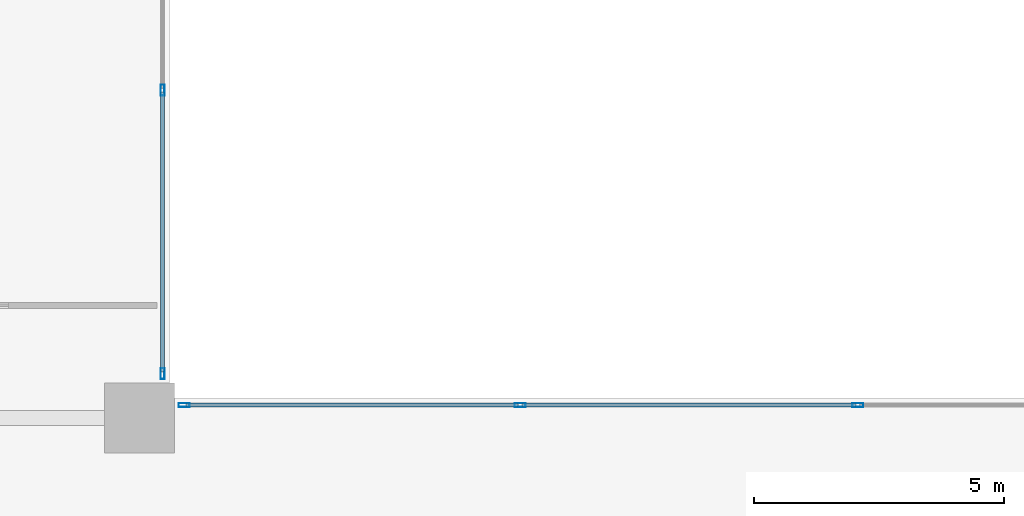
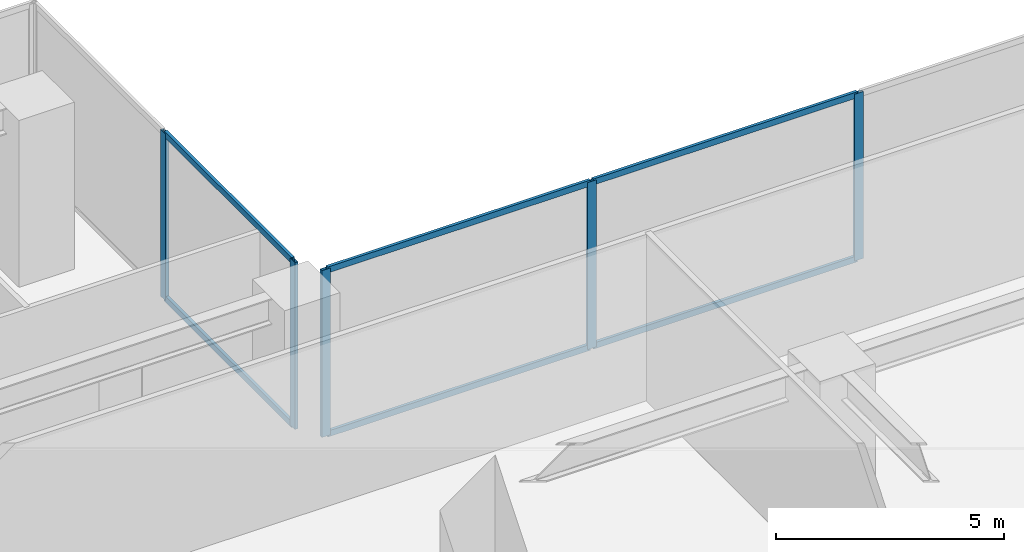
# One storey, part 5 of 16: 11 members, 2 elements without a shape of their own.
"""IFC4 building model written with IfcOpenShell, lengths in metres."""

from ifc_helpers import new_model, si_unit, direction, frame, origin, origin_with_axes, origin_2d, place, context, subcontext, project, spatial, hollow_rectangle, extrude, source, transform, mapped, material, layer, layer_set, material_profile, profile_set, type_object, element, aggregate, save


model = new_model("IFC4")

# Units and contexts
model_context = context("Model", 3, precision=1e-05, world=origin(), true_north=direction((0.0, 1.0)))
body_context = subcontext(model_context, "Body", "Model", "MODEL_VIEW")
ifc_project = project(units=[si_unit("LENGTHUNIT", "METRE"), si_unit("AREAUNIT", "SQUARE_METRE"), si_unit("VOLUMEUNIT", "CUBIC_METRE"), si_unit("PLANEANGLEUNIT", "RADIAN"), si_unit("MASSUNIT", "GRAM", prefix="KILO")], contexts=[model_context])

# Site, building, storey
site_placement = place(None, origin())
site = spatial("IfcSite", under=ifc_project, at=site_placement, CompositionType="ELEMENT")
building_placement = place(site_placement, origin())
building = spatial("IfcBuilding", under=site, at=building_placement, Name="Kolvaren Waterfront Exchange", CompositionType="ELEMENT")
storey_placement = place(building_placement, frame((0.0, 0.0, 10.39990234375)))
storey = spatial("IfcBuildingStorey", under=building, at=storey_placement, Name="L03", CompositionType="ELEMENT", Elevation=10.39990234375)

# Curtain wall, members
ifc_material_1 = material(Name="Anodised bronze aluminium 6063-T6", Category="aluminium")
ifc_layer = layer(ifc_material_1, 0.219970703125, Name="Anodised bronze aluminium 6063-T6")
ifc_layer_set = layer_set([ifc_layer], Name="Anodised bronze aluminium 6063-T6")
curtain_wall_type = type_object("IfcCurtainWallType", Name="ARC-CW-SYS4", PredefinedType="USERDEFINED", material=ifc_layer_set)
curtain_wall_1_placement = place(storey_placement, origin())
curtain_wall_1 = element("IfcCurtainWall", 1, at=curtain_wall_1_placement, inside=storey, type_object=curtain_wall_type, Name="L03 stick curtain wall CW4 (CW-L03-E2)", ObjectType="STICK CURTAIN WALL", PredefinedType="USERDEFINED")
ifc_material_2 = material(Name="Anodised aluminium 6063-T6", Category="aluminium")
ifc_material_profile_1 = material_profile(ifc_material_2, hollow_rectangle(XDim=0.074951171875, YDim=0.159912109375, WallThickness=0.00439453125, at=origin_2d()), Name="ALU-TRN-160x75x4.5")
ifc_profile_set_1 = profile_set([ifc_material_profile_1], Name="Anodised aluminium 6063-T6")
member_type_1 = type_object("IfcMemberType", Name="ARC-CWT-160", PredefinedType="USERDEFINED", material=ifc_profile_set_1)
shared_shape_1 = source(origin_with_axes(), body_context, "Body", "SweptSolid", [
    extrude(hollow_rectangle(XDim=0.074951171875, YDim=0.159912109375, WallThickness=0.00439453125, at=origin_2d()), origin(), (0.0, 0.0, 1.0), 6.632568359375),
])
member_1_placement = place(storey_placement, frame((44.362548828125, 39.06005859375, 0.03759765625), z_axis=(-1.0, 0.0, 0.0), x_axis=(0.0, -1.0, 0.0)))
member_1 = element("IfcMember", 2, at=member_1_placement, type_object=member_type_1, Name="CW4 transom 4.1", ObjectType="TRANSOM", PredefinedType="USERDEFINED", context=body_context, shape_type="MappedRepresentation", body=[
    mapped(shared_shape_1, transform((0.0, 0.0, 0.0), x_axis=(1.0, 0.0, 0.0), y_axis=(0.0, 1.0, 0.0), z_axis=(0.0, 0.0, 1.0), scale=1.0)),
])
member_2_placement = place(storey_placement, frame((44.362548828125, 39.06005859375, 4.422607421875), z_axis=(-1.0, 0.0, 0.0), x_axis=(0.0, -1.0, 0.0)))
member_2 = element("IfcMember", 3, at=member_2_placement, type_object=member_type_1, Name="CW4 transom 4.2", ObjectType="TRANSOM", PredefinedType="USERDEFINED", context=body_context, shape_type="MappedRepresentation", body=[
    mapped(shared_shape_1, transform((0.0, 0.0, 0.0), x_axis=(1.0, 0.0, 0.0), y_axis=(0.0, 1.0, 0.0), z_axis=(0.0, 0.0, 1.0), scale=1.0)),
])
shared_shape_2 = source(origin_with_axes(), body_context, "Body", "SweptSolid", [
    extrude(hollow_rectangle(XDim=0.074951171875, YDim=0.159912109375, WallThickness=0.00439453125, at=origin_2d()), origin(), (0.0, 0.0, 1.0), 6.672607421875),
])
member_3_placement = place(storey_placement, frame((51.114990234375, 39.06005859375, 0.03759765625), z_axis=(-1.0, 0.0, 0.0), x_axis=(0.0, -1.0, 0.0)))
member_3 = element("IfcMember", 4, at=member_3_placement, type_object=member_type_1, Name="CW4 transom 3.1", ObjectType="TRANSOM", PredefinedType="USERDEFINED", context=body_context, shape_type="MappedRepresentation", body=[
    mapped(shared_shape_2, transform((0.0, 0.0, 0.0), x_axis=(1.0, 0.0, 0.0), y_axis=(0.0, 1.0, 0.0), z_axis=(0.0, 0.0, 1.0), scale=1.0)),
])
member_4_placement = place(storey_placement, frame((51.114990234375, 39.06005859375, 4.422607421875), z_axis=(-1.0, 0.0, 0.0), x_axis=(0.0, -1.0, 0.0)))
member_4 = element("IfcMember", 5, at=member_4_placement, type_object=member_type_1, Name="CW4 transom 3.2", ObjectType="TRANSOM", PredefinedType="USERDEFINED", context=body_context, shape_type="MappedRepresentation", body=[
    mapped(shared_shape_2, transform((0.0, 0.0, 0.0), x_axis=(1.0, 0.0, 0.0), y_axis=(0.0, 1.0, 0.0), z_axis=(0.0, 0.0, 1.0), scale=1.0)),
])

curtain_wall_2_placement = place(storey_placement, origin())
curtain_wall_2 = element("IfcCurtainWall", 6, at=curtain_wall_2_placement, inside=storey, type_object=curtain_wall_type, Name="L03 stick curtain wall CW4 (CW-L03-N1)", ObjectType="STICK CURTAIN WALL", PredefinedType="USERDEFINED")
shared_shape_3 = source(origin_with_axes(), body_context, "Body", "SweptSolid", [
    extrude(hollow_rectangle(XDim=0.074951171875, YDim=0.159912109375, WallThickness=0.00439453125, at=origin_2d()), origin(), (0.0, 0.0, 1.0), 5.5849609375),
])
member_5_placement = place(storey_placement, frame((37.260009765625, 39.72998046875, 0.03759765625), z_axis=(0.0, 1.0, 0.0), x_axis=(-1.0, 0.0, 0.0)))
member_5 = element("IfcMember", 7, at=member_5_placement, type_object=member_type_1, Name="CW4 transom 1.1", ObjectType="TRANSOM", PredefinedType="USERDEFINED", context=body_context, shape_type="MappedRepresentation", body=[
    mapped(shared_shape_3, transform((0.0, 0.0, 0.0), x_axis=(1.0, 0.0, 0.0), y_axis=(0.0, 1.0, 0.0), z_axis=(0.0, 0.0, 1.0), scale=1.0)),
])
member_6_placement = place(storey_placement, frame((37.260009765625, 39.72998046875, 4.422607421875), z_axis=(0.0, 1.0, 0.0), x_axis=(-1.0, 0.0, 0.0)))
member_6 = element("IfcMember", 8, at=member_6_placement, type_object=member_type_1, Name="CW4 transom 1.2", ObjectType="TRANSOM", PredefinedType="USERDEFINED", context=body_context, shape_type="MappedRepresentation", body=[
    mapped(shared_shape_3, transform((0.0, 0.0, 0.0), x_axis=(1.0, 0.0, 0.0), y_axis=(0.0, 1.0, 0.0), z_axis=(0.0, 0.0, 1.0), scale=1.0)),
])

# Member
ifc_material_profile_2 = material_profile(ifc_material_2, hollow_rectangle(XDim=0.080078125, YDim=0.219970703125, WallThickness=0.0048828125, at=origin_2d()), Name="ALU-MUL-220x80x5")
ifc_profile_set_2 = profile_set([ifc_material_profile_2], Name="Anodised aluminium 6063-T6")
member_type_2 = type_object("IfcMemberType", Name="ARC-CWM-220", PredefinedType="MULLION", material=ifc_profile_set_2)
shared_shape_4 = source(origin_with_axes(), body_context, "Body", "SweptSolid", [
    extrude(hollow_rectangle(XDim=0.080078125, YDim=0.219970703125, WallThickness=0.0048828125, at=origin_2d()), origin(), (0.0, 0.0, 1.0), 4.460205078125),
])
member_7_placement = place(storey_placement, frame((51.155029296875, 39.06005859375, 0.0), z_axis=(0.0, 0.0, 1.0), x_axis=(0.0, -1.0, 0.0)))
member_7 = element("IfcMember", 9, at=member_7_placement, type_object=member_type_2, Name="CW4 mullion 3", PredefinedType="MULLION", context=body_context, shape_type="MappedRepresentation", body=[
    mapped(shared_shape_4, transform((0.0, 0.0, 0.0), x_axis=(1.0, 0.0, 0.0), y_axis=(0.0, 1.0, 0.0), z_axis=(0.0, 0.0, 1.0), scale=1.0)),
])

member_8_placement = place(storey_placement, frame((44.402587890625, 39.06005859375, 0.0), z_axis=(0.0, 0.0, 1.0), x_axis=(0.0, -1.0, 0.0)))
member_8 = element("IfcMember", 10, at=member_8_placement, type_object=member_type_2, Name="CW4 mullion 4", PredefinedType="MULLION", context=body_context, shape_type="MappedRepresentation", body=[
    mapped(shared_shape_4, transform((0.0, 0.0, 0.0), x_axis=(1.0, 0.0, 0.0), y_axis=(0.0, 1.0, 0.0), z_axis=(0.0, 0.0, 1.0), scale=1.0)),
])

member_9_placement = place(storey_placement, frame((37.68994140625, 39.06005859375, 0.0), z_axis=(0.0, 0.0, 1.0), x_axis=(0.0, -1.0, 0.0)))
member_9 = element("IfcMember", 11, at=member_9_placement, type_object=member_type_2, Name="CW4 mullion 5", PredefinedType="MULLION", context=body_context, shape_type="MappedRepresentation", body=[
    mapped(shared_shape_4, transform((0.0, 0.0, 0.0), x_axis=(1.0, 0.0, 0.0), y_axis=(0.0, 1.0, 0.0), z_axis=(0.0, 0.0, 1.0), scale=1.0)),
])

aggregate(curtain_wall_1, [member_7, member_8, member_9, member_3, member_4, member_1, member_2])

member_10_placement = place(storey_placement, frame((37.260009765625, 39.68994140625, 0.0), z_axis=(0.0, 0.0, 1.0), x_axis=(-1.0, 0.0, 0.0)))
member_10 = element("IfcMember", 12, at=member_10_placement, type_object=member_type_2, Name="CW4 mullion 1", PredefinedType="MULLION", context=body_context, shape_type="MappedRepresentation", body=[
    mapped(shared_shape_4, transform((0.0, 0.0, 0.0), x_axis=(1.0, 0.0, 0.0), y_axis=(0.0, 1.0, 0.0), z_axis=(0.0, 0.0, 1.0), scale=1.0)),
])

member_11_placement = place(storey_placement, frame((37.260009765625, 45.35498046875, 0.0), z_axis=(0.0, 0.0, 1.0), x_axis=(-1.0, 0.0, 0.0)))
member_11 = element("IfcMember", 13, at=member_11_placement, type_object=member_type_2, Name="CW4 mullion 2", PredefinedType="MULLION", context=body_context, shape_type="MappedRepresentation", body=[
    mapped(shared_shape_4, transform((0.0, 0.0, 0.0), x_axis=(1.0, 0.0, 0.0), y_axis=(0.0, 1.0, 0.0), z_axis=(0.0, 0.0, 1.0), scale=1.0)),
])

aggregate(curtain_wall_2, [member_10, member_11, member_5, member_6])

save(model, "model.ifc")
